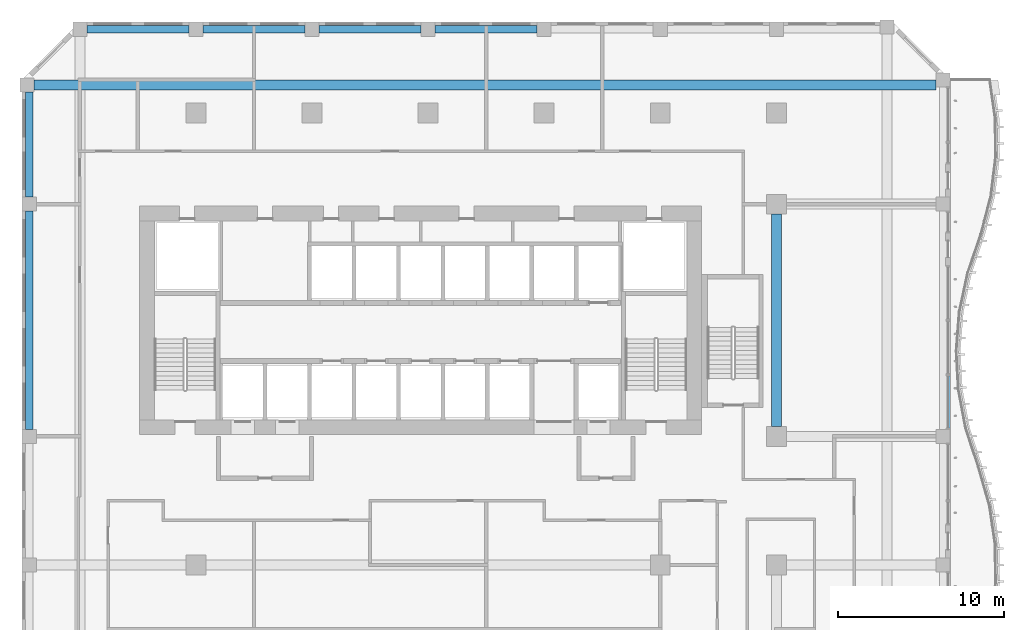
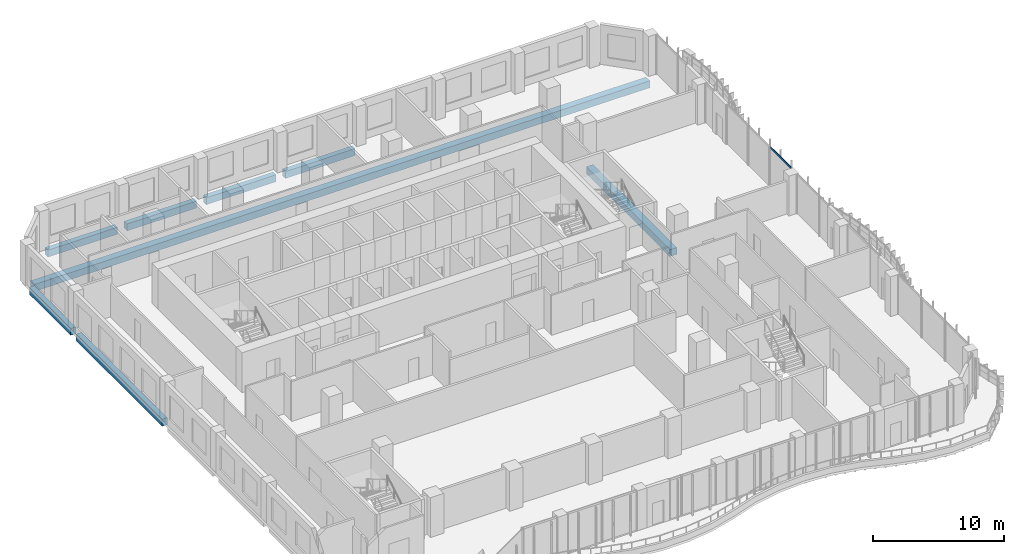
# One storey, part 9 of 27: 8 beams, 1 member, 1 element without a shape of its own.
"""IFC4 building model written with IfcOpenShell, lengths in metres."""

from ifc_helpers import new_model, si_unit, direction, frame, origin, origin_2d, place, context, subcontext, project, spatial, rectangle, extrude, source, transform, mapped, material, material_profile, profile_set, type_object, element, aggregate, save


model = new_model("IFC4")

# Units and contexts
model_context = context("Model", 3, precision=1e-05, world=origin(), true_north=direction((0.0, 1.0)))
body_context = subcontext(model_context, "Body", "Model", "MODEL_VIEW")
ifc_project = project(units=[si_unit("LENGTHUNIT", "METRE"), si_unit("AREAUNIT", "SQUARE_METRE"), si_unit("VOLUMEUNIT", "CUBIC_METRE"), si_unit("PLANEANGLEUNIT", "RADIAN"), si_unit("MASSUNIT", "GRAM", prefix="KILO")], contexts=[model_context])

# Site, building, storey
site_placement = place(None, origin())
site = spatial("IfcSite", under=ifc_project, at=site_placement, CompositionType="ELEMENT")
building_placement = place(site_placement, origin())
building = spatial("IfcBuilding", under=site, at=building_placement, Name="Kilnfold Tower and Market Hall", CompositionType="ELEMENT")
storey_placement = place(building_placement, frame((0.0, 0.0, 116.60009765625)))
storey = spatial("IfcBuildingStorey", under=building, at=storey_placement, Name="L27", CompositionType="ELEMENT", Elevation=116.60009765625)

# Beams
ifc_material_1 = material(Name="Concrete C45", Category="concrete")
ifc_material_profile_1 = material_profile(ifc_material_1, rectangle(XDim=0.449951171875, YDim=0.64990234375, at=origin_2d()), Name="RC 450x650")
ifc_profile_set_1 = profile_set([ifc_material_profile_1], Name="Concrete C45")
beam_type_1 = type_object("IfcBeamType", Name="EDGE BEAM 450X650 C45", PredefinedType="BEAM", material=ifc_profile_set_1)
shared_shape_1 = source(origin(), body_context, "Body", "SweptSolid", [
    extrude(rectangle(XDim=0.449951171875, YDim=0.64990234375, at=origin_2d()), origin(), (0.0, 0.0, 1.0), 6.14990234375),
])
for number, where, z_axis, x_axis, name in (
    (1, (-19.074951171875, 32.550048828125, -0.60498046875), (1.0, 0.0, 0.0), (0.0, 1.0, 0.0), "Beam EB650-B3.67"),
    (2, (-12.074951171875, 32.550048828125, -0.60498046875), (1.0, 0.0, 0.0), (0.0, 1.0, 0.0), "Beam EB650-B3.68"),
    (3, (-5.074951171875, 32.550048828125, -0.60498046875), (1.0, 0.0, 0.0), (0.0, 1.0, 0.0), "Beam EB650-B3.69"),
    (4, (1.925048828125, 32.550048828125, -0.60498046875), (1.0, 0.0, 0.0), (0.0, 1.0, 0.0), "Beam EB650-B3.70"),
):
    element("IfcBeam", number, at=place(storey_placement, frame(where, z_axis=z_axis, x_axis=x_axis)), inside=storey, type_object=beam_type_1, Name=name, PredefinedType="BEAM", context=body_context, shape_type="MappedRepresentation", body=[
        mapped(shared_shape_1, transform((0.0, 0.0, 0.0))),
    ])
ifc_material_2 = material(Name="Concrete C45", Category="concrete")
ifc_material_profile_2 = material_profile(ifc_material_2, rectangle(XDim=0.60009765625, YDim=0.64990234375, at=origin_2d()), Name="RC 600x650")
ifc_profile_set_2 = profile_set([ifc_material_profile_2], Name="Concrete C45")
beam_type_2 = type_object("IfcBeamType", Name="BEAM 600X650 C45", PredefinedType="BEAM", material=ifc_profile_set_2)
shared_shape_2 = source(origin(), body_context, "Body", "SweptSolid", [
    extrude(rectangle(XDim=0.60009765625, YDim=0.64990234375, at=origin_2d()), origin(), (0.0, 0.0, 1.0), 54.3818359375),
])
beam_1_placement = place(storey_placement, frame((-22.2568359375, 29.179931640625, -0.60498046875), z_axis=(1.0, 0.0, 0.0), x_axis=(0.0, 1.0, 0.0)))
element("IfcBeam", 5, at=beam_1_placement, inside=storey, type_object=beam_type_2, Name="Beam BB650-B3.66", PredefinedType="BEAM", context=body_context, shape_type="MappedRepresentation", body=[
    mapped(shared_shape_2, transform((0.0, 0.0, 0.0))),
])
shared_shape_3 = source(origin(), body_context, "Body", "SweptSolid", [
    extrude(rectangle(XDim=0.449951171875, YDim=0.64990234375, at=origin_2d()), origin(), (0.0, 0.0, 1.0), 13.14990234375),
])
beam_2_placement = place(storey_placement, frame((-22.550048828125, 8.425048828125, -0.60498046875), z_axis=(0.0, 1.0, 0.0), x_axis=(-1.0, 0.0, 0.0)))
element("IfcBeam", 6, at=beam_2_placement, inside=storey, type_object=beam_type_1, Name="Beam EB650-B3.77", PredefinedType="BEAM", context=body_context, shape_type="MappedRepresentation", body=[
    mapped(shared_shape_3, transform((0.0, 0.0, 0.0))),
])
shared_shape_4 = source(origin(), body_context, "Body", "SweptSolid", [
    extrude(rectangle(XDim=0.449951171875, YDim=0.64990234375, at=origin_2d()), origin(), (0.0, 0.0, 1.0), 6.331787109375),
])
beam_3_placement = place(storey_placement, frame((-22.550048828125, 22.425048828125, -0.60498046875), z_axis=(0.0, 1.0, 0.0), x_axis=(-1.0, 0.0, 0.0)))
element("IfcBeam", 7, at=beam_3_placement, inside=storey, type_object=beam_type_1, Name="Beam EB650-B3.78", PredefinedType="BEAM", context=body_context, shape_type="MappedRepresentation", body=[
    mapped(shared_shape_4, transform((0.0, 0.0, 0.0))),
])
shared_shape_5 = source(origin(), body_context, "Body", "SweptSolid", [
    extrude(rectangle(XDim=0.60009765625, YDim=0.64990234375, at=origin_2d()), origin(), (0.0, 0.0, 1.0), 12.7998046875),
])
beam_4_placement = place(storey_placement, frame((22.5, 8.60009765625, -0.60498046875), z_axis=(0.0, 1.0, 0.0), x_axis=(-1.0, 0.0, 0.0)))
element("IfcBeam", 8, at=beam_4_placement, inside=storey, type_object=beam_type_2, Name="Beam BB650-B3.81", PredefinedType="BEAM", context=body_context, shape_type="MappedRepresentation", body=[
    mapped(shared_shape_5, transform((0.0, 0.0, 0.0))),
])

# Curtain wall, member
ifc_material_3 = material(Name="Aluminium and double glazing", Category="aluminium")
curtain_wall_type = type_object("IfcCurtainWallType", Name="CW OF2 VALLEY GLAZING", PredefinedType="NOTDEFINED", material=ifc_material_3)
curtain_wall_placement = place(storey_placement, origin())
curtain_wall = element("IfcCurtainWall", 9, at=curtain_wall_placement, inside=storey, type_object=curtain_wall_type, Name="Curtain wall CW2 L27 E", PredefinedType="NOTDEFINED")
ifc_material_4 = material(Name="Aluminium", Category="aluminium")
ifc_material_profile_3 = material_profile(ifc_material_4, rectangle(XDim=0.06005859375, YDim=0.159912109375, at=origin_2d()), Name="TRANSOM 60x160")
ifc_profile_set_3 = profile_set([ifc_material_profile_3], Name="Aluminium")
member_type = type_object("IfcMemberType", Name="TRANSOM 60X160", PredefinedType="USERDEFINED", material=ifc_profile_set_3)
shared_shape_6 = source(origin(), body_context, "Body", "SweptSolid", [
    extrude(rectangle(XDim=0.06005859375, YDim=0.159912109375, at=origin_2d()), origin(), (0.0, 0.0, 1.0), 3.16748046875),
])
member_placement = place(storey_placement, frame((32.85009765625, 8.485107421875, 3.68994140625), z_axis=(0.0, 1.0, 0.0), x_axis=(-1.0, 0.0, 0.0)))
member = element("IfcMember", 10, at=member_placement, type_object=member_type, Name="CW2 transom 1.2", ObjectType="TRANSOM", PredefinedType="USERDEFINED", context=body_context, shape_type="MappedRepresentation", body=[
    mapped(shared_shape_6, transform((0.0, 0.0, 0.0))),
])
aggregate(curtain_wall, [member])

save(model, "model.ifc")
